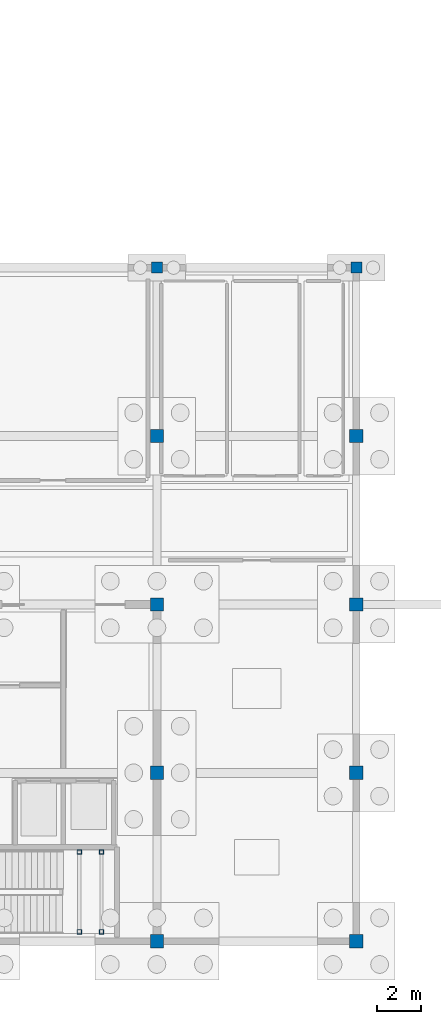
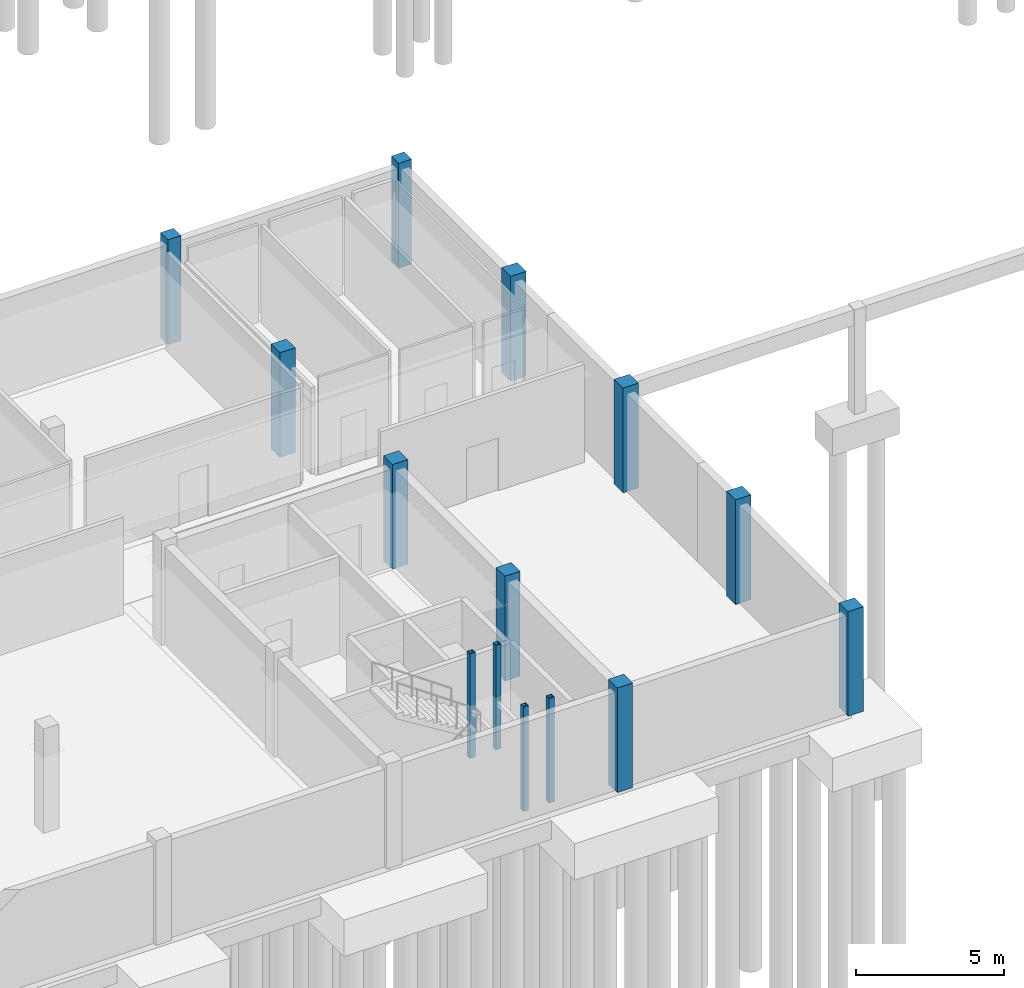
# One storey, part 18 of 28: 14 columns.
"""IFC4 building model written with IfcOpenShell, lengths in metres."""

from ifc_helpers import new_model, si_unit, direction, frame, origin, origin_2d, place, context, subcontext, project, spatial, rectangle, hollow_rectangle, extrude, material, material_profile, profile_set, type_object, element, save


model = new_model("IFC4")

# Units and contexts
model_context = context("Model", 3, precision=1e-05, world=origin(), true_north=direction((0.0, 1.0)))
body_context = subcontext(model_context, "Body", "Model", "MODEL_VIEW")
ifc_project = project(units=[si_unit("LENGTHUNIT", "METRE"), si_unit("AREAUNIT", "SQUARE_METRE"), si_unit("VOLUMEUNIT", "CUBIC_METRE"), si_unit("PLANEANGLEUNIT", "RADIAN"), si_unit("MASSUNIT", "GRAM", prefix="KILO")], contexts=[model_context])

# Site, building, storey
site_placement = place(None, origin())
site = spatial("IfcSite", under=ifc_project, at=site_placement, CompositionType="ELEMENT")
building_placement = place(site_placement, origin())
building = spatial("IfcBuilding", under=site, at=building_placement, Name="Caisbarro Railhouse Central Library", CompositionType="ELEMENT")
storey_placement = place(building_placement, frame((0.0, 0.0, -4.320068359375)))
storey = spatial("IfcBuildingStorey", under=building, at=storey_placement, Name="B01", CompositionType="ELEMENT", Elevation=-4.320068359375)

# Columns
ifc_material_1 = material(Name="Steel ASTM A572 Grade 50", Category="steel")
ifc_material_profile_1 = material_profile(ifc_material_1, hollow_rectangle(XDim=0.199951171875, YDim=0.199951171875, WallThickness=0.012451171875, at=origin_2d()), Name="HSS200X200X12.5")
ifc_profile_set_1 = profile_set([ifc_material_profile_1], Name="Steel ASTM A572 Grade 50")
column_type_1 = type_object("IfcColumnType", Name="COL-C10", PredefinedType="COLUMN", material=ifc_profile_set_1)
for number, where, z_axis, x_axis, name in (
    (1, (95.5, 0.419921875, 0.0), (0.0, 0.0, 1.0), (1.0, 0.0, 0.0), "C10 Stair Landing Post K2 B01.1"),
    (2, (95.5, 4.030029296875, 0.0), (0.0, 0.0, 1.0), (1.0, 0.0, 0.0), "C10 Stair Landing Post K2 B01.2"),
    (3, (96.5, 0.419921875, 0.0), (0.0, 0.0, 1.0), (1.0, 0.0, 0.0), "C10 Stair Landing Post K2 B01.3"),
    (4, (96.5, 4.030029296875, 0.0), (0.0, 0.0, 1.0), (1.0, 0.0, 0.0), "C10 Stair Landing Post K2 B01.4"),
):
    element("IfcColumn", number, at=place(storey_placement, frame(where, z_axis=z_axis, x_axis=x_axis)), inside=storey, type_object=column_type_1, Name=name, PredefinedType="COLUMN", context=body_context, shape_type="SweptSolid", body=[
        extrude(hollow_rectangle(XDim=0.199951171875, YDim=0.199951171875, WallThickness=0.012451171875, at=origin_2d()), origin(), (0.0, 0.0, 1.0), 4.320068359375),
    ])
ifc_material_2 = material(Name="Concrete C40", Category="concrete")
ifc_material_profile_2 = material_profile(ifc_material_2, rectangle(XDim=0.5, YDim=0.5, at=origin_2d()), Name="RC-COL-500X500")
ifc_profile_set_2 = profile_set([ifc_material_profile_2], Name="Concrete C40")
column_type_2 = type_object("IfcColumnType", Name="COL-RC50", PredefinedType="COLUMN", material=ifc_profile_set_2)
for number, where, z_axis, x_axis, name in (
    (5, (99.0, 30.39990234375, 0.0), (0.0, 0.0, 1.0), (1.0, 0.0, 0.0), "RC50 column B01 (99.0,30.4)"),
    (6, (108.0, 30.39990234375, 0.0), (0.0, 0.0, 1.0), (1.0, 0.0, 0.0), "RC50 column B01 (108.0,30.4)"),
):
    element("IfcColumn", number, at=place(storey_placement, frame(where, z_axis=z_axis, x_axis=x_axis)), inside=storey, type_object=column_type_2, Name=name, PredefinedType="COLUMN", context=body_context, shape_type="SweptSolid", body=[
        extrude(rectangle(XDim=0.5, YDim=0.5, at=origin_2d()), origin(), (0.0, 0.0, 1.0), 4.320068359375),
    ])
ifc_material_profile_3 = material_profile(ifc_material_2, rectangle(XDim=0.60009765625, YDim=0.60009765625, at=origin_2d()), Name="RC-COL-600X600")
ifc_profile_set_3 = profile_set([ifc_material_profile_3], Name="Concrete C40")
column_type_3 = type_object("IfcColumnType", Name="COL-RC60", PredefinedType="COLUMN", material=ifc_profile_set_3)
for number, where, z_axis, x_axis, name in (
    (7, (99.0, 0.0, 0.0), (0.0, 0.0, 1.0), (1.0, 0.0, 0.0), "RC60 column B01 (99.0,0.0)"),
    (8, (99.0, 7.60009765625, 0.0), (0.0, 0.0, 1.0), (1.0, 0.0, 0.0), "RC60 column B01 (99.0,7.6)"),
    (9, (99.0, 15.199951171875, 0.0), (0.0, 0.0, 1.0), (1.0, 0.0, 0.0), "RC60 column B01 (99.0,15.2)"),
    (10, (99.0, 22.800048828125, 0.0), (0.0, 0.0, 1.0), (1.0, 0.0, 0.0), "RC60 column B01 (99.0,22.8)"),
    (11, (108.0, 0.0, 0.0), (0.0, 0.0, 1.0), (1.0, 0.0, 0.0), "RC60 column B01 (108.0,0.0)"),
    (12, (108.0, 7.60009765625, 0.0), (0.0, 0.0, 1.0), (1.0, 0.0, 0.0), "RC60 column B01 (108.0,7.6)"),
    (13, (108.0, 15.199951171875, 0.0), (0.0, 0.0, 1.0), (1.0, 0.0, 0.0), "RC60 column B01 (108.0,15.2)"),
    (14, (108.0, 22.800048828125, 0.0), (0.0, 0.0, 1.0), (1.0, 0.0, 0.0), "RC60 column B01 (108.0,22.8)"),
):
    element("IfcColumn", number, at=place(storey_placement, frame(where, z_axis=z_axis, x_axis=x_axis)), inside=storey, type_object=column_type_3, Name=name, PredefinedType="COLUMN", context=body_context, shape_type="SweptSolid", body=[
        extrude(rectangle(XDim=0.60009765625, YDim=0.60009765625, at=origin_2d()), origin(), (0.0, 0.0, 1.0), 4.320068359375),
    ])

save(model, "model.ifc")
